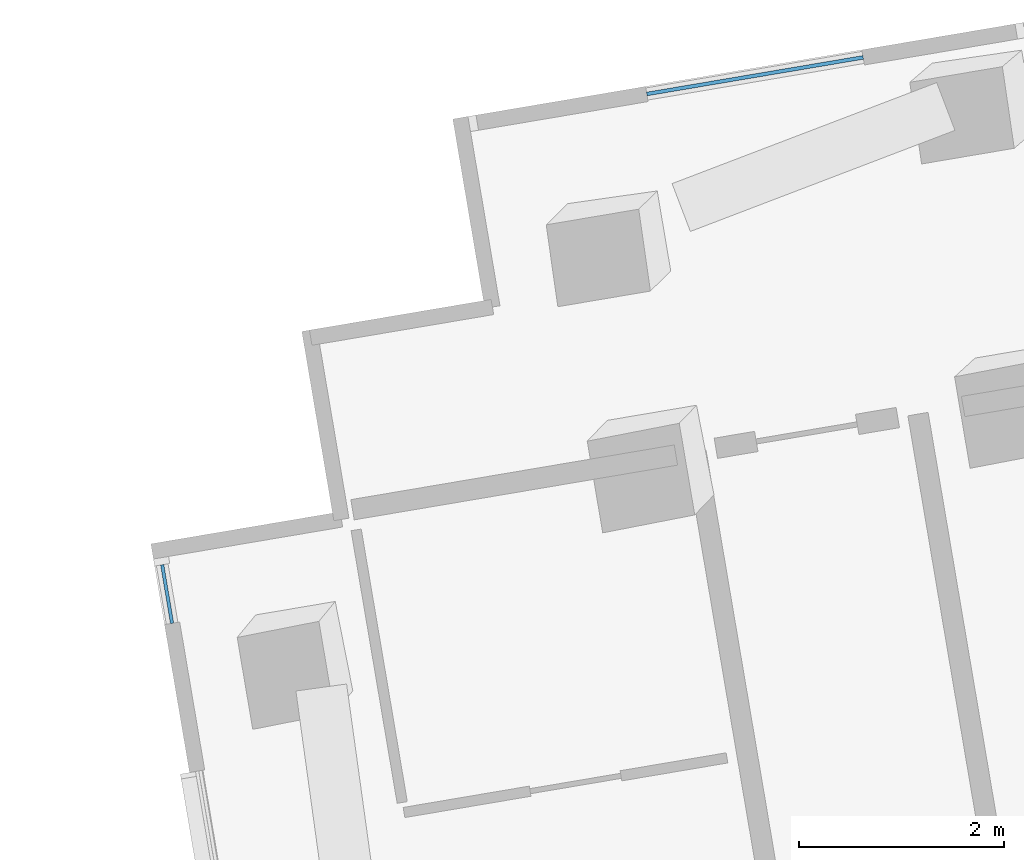
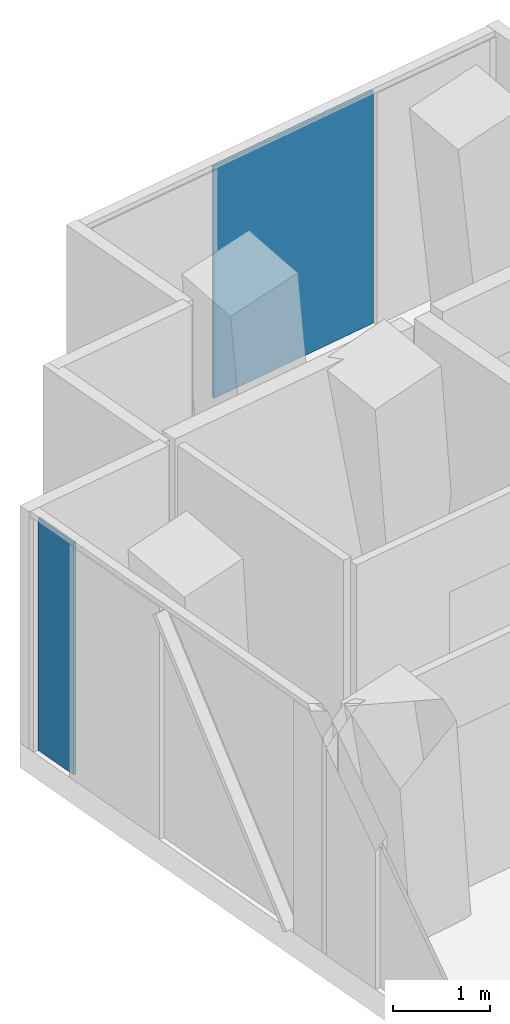
# One storey, part 18 of 27: 2 plates, 2 elements without a shape of their own.
"""IFC4 building model written with IfcOpenShell, lengths in metres."""

from ifc_helpers import new_model, si_unit, direction, frame, origin, origin_2d, place, context, subcontext, project, spatial, rectangle, extrude, material, layer, layer_set, type_object, element, aggregate, save


model = new_model("IFC4")

# Units and contexts
model_context = context("Model", 3, precision=1e-05, world=origin(), true_north=direction((0.0, 1.0)))
body_context = subcontext(model_context, "Body", "Model", "MODEL_VIEW")
ifc_project = project(units=[si_unit("LENGTHUNIT", "METRE"), si_unit("AREAUNIT", "SQUARE_METRE"), si_unit("VOLUMEUNIT", "CUBIC_METRE"), si_unit("PLANEANGLEUNIT", "RADIAN"), si_unit("MASSUNIT", "GRAM", prefix="KILO")], contexts=[model_context])

# Site, building, storey
site_placement = place(None, origin())
site = spatial("IfcSite", under=ifc_project, at=site_placement, CompositionType="ELEMENT")
building_placement = place(site_placement, origin())
building = spatial("IfcBuilding", under=site, at=building_placement, Name="Verdalira Terraces Hotel", CompositionType="ELEMENT")
storey_placement = place(building_placement, frame((0.0, 0.0, 71.5)))
storey = spatial("IfcBuildingStorey", under=building, at=storey_placement, Name="L16", CompositionType="ELEMENT", Elevation=71.5)

# Curtain wall, plate
ifc_material_1 = material(Name="Clear glass", Category="glass")
ifc_layer_1 = layer(ifc_material_1, 0.14990234375)
ifc_layer_set_1 = layer_set([ifc_layer_1], Name="CW2 curtain wall")
curtain_wall_type_1 = type_object("IfcCurtainWallType", Name="CW2 curtain wall", PredefinedType="NOTDEFINED", material=ifc_layer_set_1)
curtain_wall_1_placement = place(storey_placement, origin())
curtain_wall_1 = element("IfcCurtainWall", 1, at=curtain_wall_1_placement, inside=storey, type_object=curtain_wall_type_1, Name="CW2 curtain wall L16 edge 10", PredefinedType="NOTDEFINED")
ifc_material_2 = material(Name="Clear glass", Category="glass")
ifc_layer_2 = layer(ifc_material_2, 0.031982421875)
ifc_layer_set_2 = layer_set([ifc_layer_2], Name="CW2 glass unit 32")
plate_type_1 = type_object("IfcPlateType", Name="CW2 glass unit 32", PredefinedType="CURTAIN_PANEL", material=ifc_layer_set_2)
plate_1_placement = place(storey_placement, frame((-12.76709, 36.956543, 0.0), z_axis=(0.0, 0.0, 1.0), x_axis=(0.166768747, -0.985996037, 0.0)))
plate_1 = element("IfcPlate", 2, at=plate_1_placement, type_object=plate_type_1, Name="CW2 glass unit", PredefinedType="CURTAIN_PANEL", context=body_context, shape_type="SweptSolid", body=[
    extrude(rectangle(XDim=0.580078, YDim=0.031982, at=origin_2d()), origin(), (0.0, 0.0, 1.0), 2.935059),
])
aggregate(curtain_wall_1, [plate_1])

ifc_material_3 = material(Name="Clear glass", Category="glass")
ifc_layer_3 = layer(ifc_material_3, 0.14990234375)
ifc_layer_set_3 = layer_set([ifc_layer_3], Name="CW3 curtain wall")
curtain_wall_type_2 = type_object("IfcCurtainWallType", Name="CW3 curtain wall", PredefinedType="NOTDEFINED", material=ifc_layer_set_3)
curtain_wall_2_placement = place(storey_placement, origin())
curtain_wall_2 = element("IfcCurtainWall", 3, at=curtain_wall_2_placement, inside=storey, type_object=curtain_wall_type_2, Name="CW3 curtain wall L16 edge 5", PredefinedType="NOTDEFINED")
ifc_material_4 = material(Name="Clear glass", Category="glass")
ifc_layer_4 = layer(ifc_material_4, 0.035888671875)
ifc_layer_set_4 = layer_set([ifc_layer_4], Name="CW3 glass unit 36")
plate_type_2 = type_object("IfcPlateType", Name="CW3 glass unit 36", PredefinedType="CURTAIN_PANEL", material=ifc_layer_set_4)
plate_2_placement = place(storey_placement, frame((-7.024658, 42.02002, 0.0), z_axis=(0.0, 0.0, 1.0), x_axis=(-0.985996037, -0.166768747, 0.0)))
plate_2 = element("IfcPlate", 4, at=plate_2_placement, type_object=plate_type_2, Name="CW3 glass unit", PredefinedType="CURTAIN_PANEL", context=body_context, shape_type="SweptSolid", body=[
    extrude(rectangle(XDim=2.142578, YDim=0.035889, at=origin_2d()), origin(), (0.0, 0.0, 1.0), 2.935059),
])
aggregate(curtain_wall_2, [plate_2])

save(model, "model.ifc")
